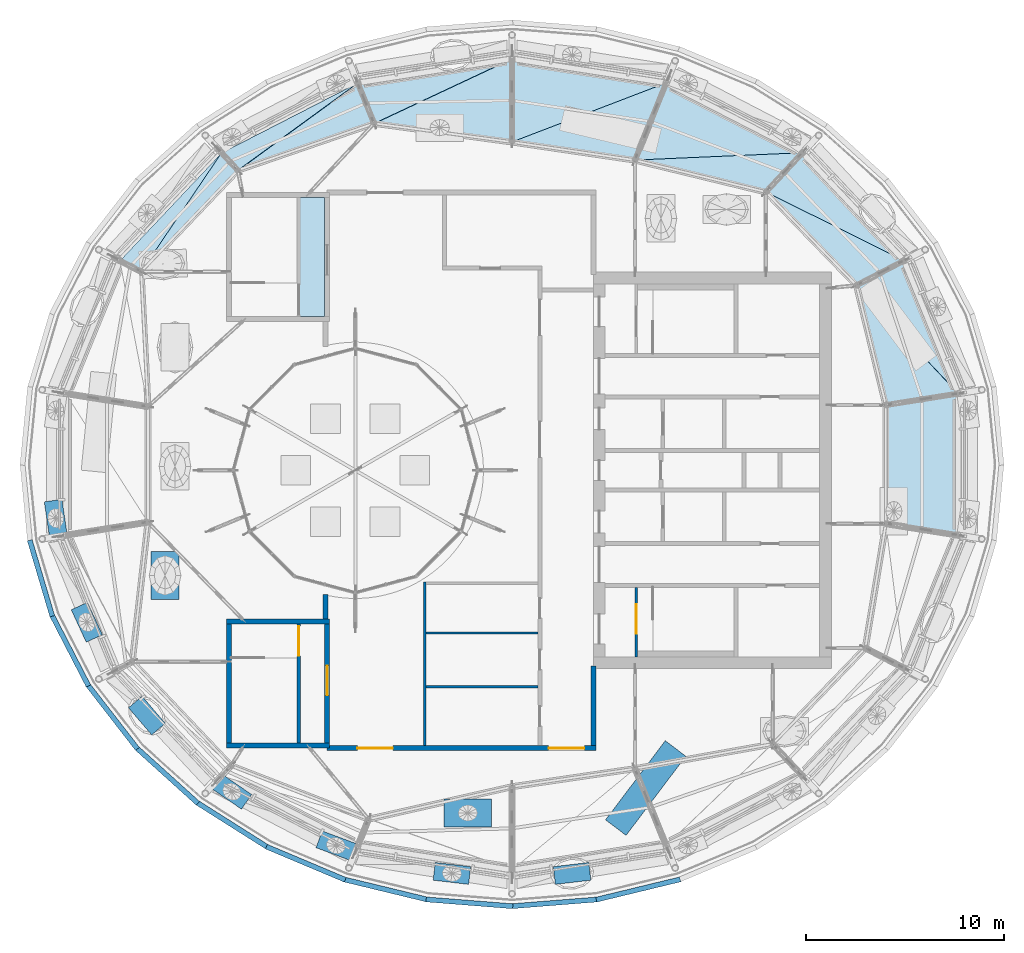
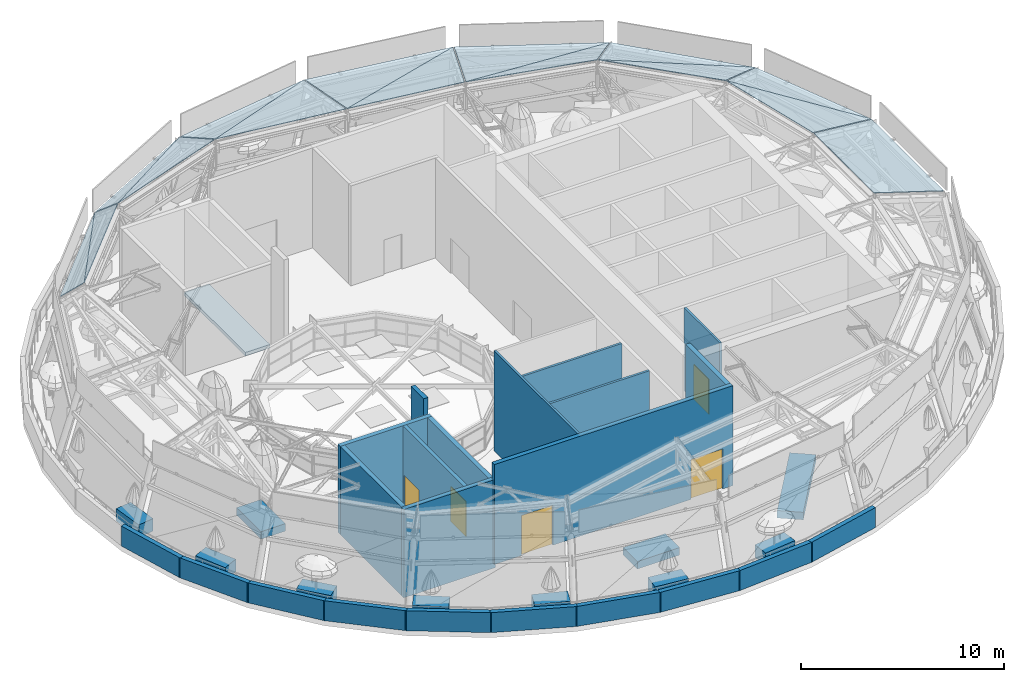
# One storey, part 16 of 40: 32 walls, 15 plates, 5 doors, 1 slab, 5 openings.
"""IFC4 building model written with IfcOpenShell, lengths in metres."""

from ifc_helpers import new_model, si_unit, direction, frame, frame_2d, origin, place, context, subcontext, project, spatial, polyline, rectangle, outline, extrude, material, layer, layer_set, constituent, constituent_set, type_object, element, fill, save


model = new_model("IFC4")

# Units and contexts
model_context = context("Model", 3, precision=1e-05, world=origin(), true_north=direction((0.0, 1.0)))
body_context = subcontext(model_context, "Body", "Model", "MODEL_VIEW")
ifc_project = project(units=[si_unit("LENGTHUNIT", "METRE"), si_unit("AREAUNIT", "SQUARE_METRE"), si_unit("VOLUMEUNIT", "CUBIC_METRE"), si_unit("PLANEANGLEUNIT", "RADIAN"), si_unit("MASSUNIT", "GRAM", prefix="KILO")], contexts=[model_context])

# Site, building, storey
site_placement = place(None, origin())
site = spatial("IfcSite", under=ifc_project, at=site_placement, CompositionType="ELEMENT")
building_placement = place(site_placement, origin())
building = spatial("IfcBuilding", under=site, at=building_placement, Name="Taillehof Tower", CompositionType="ELEMENT")
storey_placement = place(building_placement, frame((0.0, 0.0, 275.199951171875)))
storey = spatial("IfcBuildingStorey", under=building, at=storey_placement, Name="L77", CompositionType="ELEMENT", Elevation=275.199951171875)

# Plates
ifc_material_1 = material(Name="Clear laminated safety glass", Category="glass")
ifc_layer_1 = layer(ifc_material_1, 0.031982421875)
ifc_layer_set_1 = layer_set([ifc_layer_1], Name="Canopy glass panel 32")
plate_type = type_object("IfcPlateType", Name="Canopy glass panel 32", PredefinedType="SHEET", material=ifc_layer_set_1)
plate_1_placement = place(storey_placement, frame((22.374267578125, 3.895751953125, 4.708740234375), z_axis=(0.263958482915, 0.107777973391, 0.958493519931), x_axis=(-0.378122618504, 0.92575552076, 3.4031376e-05)))
element("IfcPlate", 1, at=plate_1_placement, inside=storey, type_object=plate_type, Name="Canopy glass panel 1", PredefinedType="SHEET", context=body_context, shape_type="SweptSolid", body=[
    extrude(outline(polyline([(0.0, 0.0), (7.1739862986968985, -2.739643364599309e-16), (6.925320421927194, 2.7786917608811317), (0.0, 0.0)])), origin(), (0.0, 0.0, -1.0), 0.031982421875),
])
plate_2_placement = place(storey_placement, frame((22.374267578125, 3.895751953125, 4.70849609375), z_axis=(0.205967447953, 0.050422972405, 0.977258888032), x_axis=(-0.68134848623, 0.724208823179, 0.106234743567)))
element("IfcPlate", 2, at=plate_2_placement, inside=storey, type_object=plate_type, Name="Canopy glass panel 1", PredefinedType="SHEET", context=body_context, shape_type="SweptSolid", body=[
    extrude(outline(polyline([(0.0, 0.0), (7.4620089695275125, -7.771561172376096e-16), (2.1385721770835944, 3.0816087744791423), (0.0, 0.0)])), origin(), (0.0, 0.0, -1.0), 0.031982421875),
])
plate_3_placement = place(storey_placement, frame((19.632080078125, 10.58837890625, 4.7080078125), z_axis=(0.207129243897, 0.195200482411, 0.958641876818), x_axis=(-0.685921072731, 0.727675944976, 3.2981732e-05)))
element("IfcPlate", 3, at=plate_3_placement, inside=storey, type_object=plate_type, Name="Canopy glass panel 2", PredefinedType="SHEET", context=body_context, shape_type="SweptSolid", body=[
    extrude(outline(polyline([(0.0, 0.0), (7.402298573378747, -3.870601755773251e-17), (7.228317611944831, 2.7844138543945), (0.0, 0.0)])), origin(), (0.0, 0.0, -1.0), 0.031982421875),
])
plate_4_placement = place(storey_placement, frame((19.632080078125, 10.58837890625, 4.7080078125), z_axis=(0.212001127769, 0.20576278847, 0.955362337915), x_axis=(-0.890825196522, 0.442670530893, 0.102338997067)))
element("IfcPlate", 4, at=plate_4_placement, inside=storey, type_object=plate_type, Name="Canopy glass panel 2", PredefinedType="SHEET", context=body_context, shape_type="SweptSolid", body=[
    extrude(outline(polyline([(0.0, 0.0), (7.746065840908909, -8.326672684688674e-17), (1.654835817700499, 2.248373569123771), (0.0, 0.0)])), origin(), (0.0, 0.0, -1.0), 0.031982421875),
])
plate_5_placement = place(storey_placement, frame((14.506103515625, 16.009521484375, 4.707275390625), z_axis=(0.085799891018, 0.167066174596, 0.982205310517), x_axis=(-0.88962341853, 0.456694834858, 3.1901008e-05)))
element("IfcPlate", 5, at=plate_5_placement, inside=storey, type_object=plate_type, Name="Canopy glass panel 3", PredefinedType="SHEET", context=body_context, shape_type="SweptSolid", body=[
    extrude(outline(polyline([(0.0, 0.0), (7.653069228580078, -1.1355662504070052e-16), (7.2795768184911775, 4.2235415250720925), (0.0, 0.0)])), origin(), (0.0, 0.0, -1.0), 0.031982421875),
])
plate_6_placement = place(storey_placement, frame((14.506103515625, 16.009521484375, 4.706787109375), z_axis=(0.076061471541, 0.312535770093, 0.946855873383), x_axis=(-0.994598451849, -0.043484310778, 0.094249850378)))
element("IfcPlate", 6, at=plate_6_placement, inside=storey, type_object=plate_type, Name="Canopy glass panel 3", PredefinedType="SHEET", context=body_context, shape_type="SweptSolid", body=[
    extrude(outline(polyline([(0.0, 0.0), (8.416065250444296, 2.7755575615628914e-17), (1.9814892953343695, 1.9679940712017276), (0.0, 0.0)])), origin(), (0.0, 0.0, -1.0), 0.031982421875),
])
plate_7_placement = place(storey_placement, frame((7.642822265625, 19.52099609375, 4.707763671875), z_axis=(0.030396226619, 0.186979101542, 0.981893520191), x_axis=(-0.987961284929, 0.154697229045, 0.001125525514)))
element("IfcPlate", 7, at=plate_7_placement, inside=storey, type_object=plate_type, Name="Canopy glass panel 4", PredefinedType="SHEET", context=body_context, shape_type="SweptSolid", body=[
    extrude(outline(polyline([(0.0, 0.0), (7.80885229784728, -2.688821387764051e-17), (7.161603346682867, 4.189916494843064), (0.0, 0.0)])), origin(), (0.0, 0.0, -1.0), 0.031982421875),
])
plate_8_placement = place(storey_placement, frame((7.642822265625, 19.52099609375, 4.707763671875), z_axis=(0.029253785242, 0.189820014419, 0.981382992605), x_axis=(-0.929339192122, -0.356358502906, 0.096629619647)))
element("IfcPlate", 8, at=plate_8_placement, inside=storey, type_object=plate_type, Name="Canopy glass panel 4", PredefinedType="SHEET", context=body_context, shape_type="SweptSolid", body=[
    extrude(outline(polyline([(0.0, 0.0), (8.297226206930675, -1.6653345369377348e-16), (2.908826123238706, 3.085473534063567), (0.0, 0.0)])), origin(), (0.0, 0.0, -1.0), 0.031982421875),
])
plate_9_placement = place(storey_placement, frame((-0.130126953125, 20.732177734375, 4.71826171875), z_axis=(-0.050484092792, 0.346886060578, 0.936547605491), x_axis=(-0.987944011603, -0.154758190693, 0.004065999351)))
element("IfcPlate", 9, at=plate_9_placement, inside=storey, type_object=plate_type, Name="Canopy glass panel 5", PredefinedType="SHEET", context=body_context, shape_type="SweptSolid", body=[
    extrude(outline(polyline([(0.0, 0.0), (7.8057762700137205, 0.0), (7.307725398257551, 2.26806175741908), (0.0, 0.0)])), origin(), (0.0, 0.0, -1.0), 0.031982421875),
])
plate_10_placement = place(storey_placement, frame((-0.130126953125, 20.732177734375, 4.717529296875), z_axis=(0.029882497211, 0.187041034462, 0.981897493524), x_axis=(-0.900164273523, -0.422003852319, 0.107782323691)))
element("IfcPlate", 10, at=plate_10_placement, inside=storey, type_object=plate_type, Name="Canopy glass panel 5", PredefinedType="SHEET", context=body_context, shape_type="SweptSolid", body=[
    extrude(outline(polyline([(0.0, 0.0), (7.651598175009284, -5.551115123125783e-17), (1.8437257336313861, 3.818354865677011), (0.0, 0.0)])), origin(), (0.0, 0.0, -1.0), 0.031982421875),
])
plate_11_placement = place(storey_placement, frame((-7.903076171875, 19.509765625, 4.75048828125), z_axis=(-0.260196068388, 0.506687986801, 0.821927788815), x_axis=(-0.889584604161, -0.456770435792, -3.2027095e-05)))
element("IfcPlate", 11, at=plate_11_placement, inside=storey, type_object=plate_type, Name="Canopy glass panel 6", PredefinedType="SHEET", context=body_context, shape_type="SweptSolid", body=[
    extrude(outline(polyline([(0.0, 0.0), (7.622939929803294, -3.673276960380889e-16), (7.296755229644434, 1.3874372664036738), (0.0, 0.0)])), origin(), (0.0, 0.0, -1.0), 0.031982421875),
])
plate_12_placement = place(storey_placement, frame((-7.903076171875, 19.509765625, 4.749755859375), z_axis=(-0.111238497291, 0.323475337277, 0.939675317806), x_axis=(-0.803797629334, -0.585321659737, 0.106338731041)))
element("IfcPlate", 12, at=plate_12_placement, inside=storey, type_object=plate_type, Name="Canopy glass panel 6", PredefinedType="SHEET", context=body_context, shape_type="SweptSolid", body=[
    extrude(outline(polyline([(0.0, 0.0), (7.45241607637317, -6.661338147750939e-16), (0.6106484523835349, 2.238531131561948), (0.0, 0.0)])), origin(), (0.0, 0.0, -1.0), 0.031982421875),
])
plate_13_placement = place(storey_placement, frame((-14.7607421875, 15.97802734375, 4.7490234375), z_axis=(-0.414289170964, 0.390462548337, 0.822133493521), x_axis=(-0.68587062229, -0.727723497957, 0.0)))
element("IfcPlate", 13, at=plate_13_placement, inside=storey, type_object=plate_type, Name="Canopy glass panel 7", PredefinedType="SHEET", context=body_context, shape_type="SweptSolid", body=[
    extrude(outline(polyline([(0.0, 0.0), (7.373298610406599, 0.0), (7.047131468990949, 1.3868927710804413), (0.0, 0.0)])), origin(), (0.0, 0.0, -1.0), 0.031982421875),
])
plate_14_placement = place(storey_placement, frame((-14.7607421875, 15.97802734375, 4.7490234375), z_axis=(-0.401906505704, 0.383330877287, 0.831581985851), x_axis=(-0.55743677145, -0.822910275209, 0.109922358007)))
element("IfcPlate", 14, at=plate_14_placement, inside=storey, type_object=plate_type, Name="Canopy glass panel 7", PredefinedType="SHEET", context=body_context, shape_type="SweptSolid", body=[
    extrude(outline(polyline([(0.0, 0.0), (7.207235566011071, -1.6653345369377348e-16), (0.35171934180531145, 1.3846379188882962), (0.0, 0.0)])), origin(), (0.0, 0.0, -1.0), 0.031982421875),
])
plate_15_placement = place(storey_placement, frame((22.383056640625, -3.23974609375, 4.716796875), z_axis=(0.21367118725, 0.001173988201, 0.976904931655), x_axis=(1.093207e-06, 0.99999927762, -0.001201980768)))
element("IfcPlate", 15, at=plate_15_placement, inside=storey, type_object=plate_type, Name="Canopy glass panel 18", PredefinedType="SHEET", context=body_context, shape_type="SweptSolid", body=[
    extrude(outline(polyline([(0.0, 0.0), (7.0795950004294745, -2.168404344971009e-19), (6.500025633604339, 3.705455281852304), (0.5776581204318546, 3.705440731992928), (0.0, 0.0)])), origin(), (0.0, 0.0, -1.0), 0.031982421875),
])

# Slab
ifc_material_2 = material(Name="Concrete C40/50", Category="concrete")
ifc_layer_2 = layer(ifc_material_2, 0.2099609375)
ifc_layer_set_2 = layer_set([ifc_layer_2], Name="Stair landing C40/50 210")
slab_type = type_object("IfcSlabType", Name="Stair landing C40/50 210", PredefinedType="LANDING", material=ifc_layer_set_2)
slab_placement = place(storey_placement, frame((0.0, 0.0, -0.2099609375)))
element("IfcSlab", 16, at=slab_placement, inside=storey, type_object=slab_type, Name="Stair lobby S3 floor", PredefinedType="LANDING", context=body_context, shape_type="SweptSolid", body=[
    extrude(outline(polyline([(-10.949951171875, 7.75), (-9.550048828125, 7.75), (-9.550048828125, 13.75), (-10.949951171875, 13.75), (-10.949951171875, 7.75)])), origin(), (0.0, 0.0, 1.0), 0.2099609375),
])

# Wall, openings, doors
ifc_material_3 = material(Name="Calcium silicate blockwork", Category="masonry")
ifc_layer_3 = layer(ifc_material_3, 0.25)
ifc_layer_set_3 = layer_set([ifc_layer_3], Name="Fire-resisting wall EI 120 250 mm")
wall_type_1 = type_object("IfcWallType", Name="Fire-resisting wall EI 120 250 mm", PredefinedType="PARTITIONING", material=ifc_layer_set_3)
wall_1_placement = place(storey_placement, frame((-9.425048828125, -14.0, 0.0), z_axis=(0.0, 0.0, 1.0), x_axis=(1.0, 0.0, 0.0)))
wall_1 = element("IfcWall", 17, at=wall_1_placement, inside=storey, type_object=wall_type_1, Name="Wall L77-06 / TERR", PredefinedType="PARTITIONING", context=body_context, shape_type="SweptSolid", body=[
    extrude(rectangle(XDim=13.550048828125, YDim=0.25, at=frame_2d((6.77490234375, 0.0))), origin(), (0.0, 0.0, 1.0), 6.0),
])
opening_1_placement = place(wall_1_placement, frame((1.52490234375, 0.0, 0.0)))
opening_1 = element("IfcOpeningElement", 18, at=opening_1_placement, cuts=wall_1, Name="Opening D7741", PredefinedType="OPENING", context=body_context, shape_type="SweptSolid", body=[
    extrude(rectangle(XDim=1.800048828125, YDim=2.39990234375, at=frame_2d((0.89990234375, 1.199951171875))), frame((0.0, 0.135009765625, 0.0), z_axis=(0.0, -1.0, 0.0), x_axis=(1.0, 0.0, 0.0)), (0.0, 0.0, 1.0), 0.27001953125),
])
opening_2_placement = place(wall_1_placement, frame((11.175048828125, 0.0, 0.0)))
opening_2 = element("IfcOpeningElement", 19, at=opening_2_placement, cuts=wall_1, Name="Opening D7742", PredefinedType="OPENING", context=body_context, shape_type="SweptSolid", body=[
    extrude(rectangle(XDim=1.800048828125, YDim=2.39990234375, at=frame_2d((0.89990234375, 1.199951171875))), frame((0.0, 0.135009765625, 0.0), z_axis=(0.0, -1.0, 0.0), x_axis=(1.0, 0.0, 0.0)), (0.0, 0.0, 1.0), 0.27001953125),
])
ifc_material_4 = material(Name="Glazed aluminium door set", Category="aluminium")
door_type_1 = type_object("IfcDoorType", Name="Glazed double door 1800 x 2400 FD120S", OperationType="DOUBLE_DOOR_SINGLE_SWING", PredefinedType="DOOR", material=ifc_material_4)
door_1_placement = place(opening_1_placement, origin())
door_1 = element("IfcDoor", 20, at=door_1_placement, inside=storey, type_object=door_type_1, Name="Door D7741", OperationType="DOUBLE_DOOR_SINGLE_SWING", OverallHeight=2.39990234375, OverallWidth=1.800048828125, PredefinedType="DOOR", context=body_context, shape_type="SweptSolid", body=[
    extrude(rectangle(XDim=1.800048828125, YDim=2.39990234375, at=frame_2d((0.89990234375, 1.199951171875))), frame((0.0, 0.02490234375, 0.0), z_axis=(0.0, -1.0, 0.0), x_axis=(1.0, 0.0, 0.0)), (0.0, 0.0, 1.0), 0.050048828125),
])
fill(opening_1, door_1)
door_2_placement = place(opening_2_placement, origin())
door_2 = element("IfcDoor", 21, at=door_2_placement, inside=storey, type_object=door_type_1, Name="Door D7742", OperationType="DOUBLE_DOOR_SINGLE_SWING", OverallHeight=2.39990234375, OverallWidth=1.800048828125, PredefinedType="DOOR", context=body_context, shape_type="SweptSolid", body=[
    extrude(rectangle(XDim=1.800048828125, YDim=2.39990234375, at=frame_2d((0.89990234375, 1.199951171875))), frame((0.0, 0.02490234375, 0.0), z_axis=(0.0, -1.0, 0.0), x_axis=(1.0, 0.0, 0.0)), (0.0, 0.0, 1.0), 0.050048828125),
])
fill(opening_2, door_2)

# Walls
wall_2_placement = place(storey_placement, frame((-9.5, -7.501953125, 0.0), z_axis=(0.0, 0.0, 1.0), x_axis=(0.0, 1.0, 0.0)))
element("IfcWall", 22, at=wall_2_placement, inside=storey, type_object=wall_type_1, Name="Wall L77-06 / TERR", PredefinedType="PARTITIONING", context=body_context, shape_type="SweptSolid", body=[
    extrude(rectangle(XDim=1.25244140625, YDim=0.25, at=frame_2d((0.626220703125, 0.0))), origin(), (0.0, 0.0, 1.0), 6.0),
])
wall_3_placement = place(storey_placement, frame((4.0, -13.875, 0.0), z_axis=(0.0, 0.0, 1.0), x_axis=(0.0, 1.0, 0.0)))
element("IfcWall", 23, at=wall_3_placement, inside=storey, type_object=wall_type_1, Name="Wall L77-01 / TERR", PredefinedType="PARTITIONING", context=body_context, shape_type="SweptSolid", body=[
    extrude(rectangle(XDim=4.0, YDim=0.25, at=frame_2d((2.0, 0.0))), origin(), (0.0, 0.0, 1.0), 6.0),
])
ifc_material_5 = material(Name="Concrete C30/37 precast", Category="concrete")
ifc_constituent_1 = constituent(ifc_material_5, Name="Structure", Category="concrete")
ifc_material_6 = material(Name="Insulated lining")
ifc_constituent_2 = constituent(ifc_material_6, Name="Lining")
ifc_constituent_set_1 = constituent_set(constituents=[ifc_constituent_1, ifc_constituent_2], Name="Ground-cover bed 1300x450")
wall_type_2 = type_object("IfcWallType", Name="Ground-cover bed 1300x450", PredefinedType="USERDEFINED", material=ifc_constituent_set_1)
wall_4_placement = place(storey_placement, frame((5.132568359375, -18.011962890625, 0.0), z_axis=(0.0, 0.0, 1.0), x_axis=(0.602567127341, 0.798068203256, 0.0)))
element("IfcWall", 24, at=wall_4_placement, inside=storey, type_object=wall_type_2, Name="Ground-cover bed SGC02", ObjectType="PLANTER", PredefinedType="USERDEFINED", context=body_context, shape_type="SweptSolid", body=[
    extrude(rectangle(XDim=5.000244140625, YDim=1.300048828125, at=frame_2d((2.5, 0.0))), origin(), (0.0, 0.0, 1.0), 0.449951171875),
])
ifc_material_7 = material(Name="Brick masonry", Category="masonry")
ifc_constituent_3 = constituent(ifc_material_7, Name="Wall", Category="masonry")
ifc_material_8 = material(Name="Concrete C30/37 precast", Category="concrete")
ifc_constituent_4 = constituent(ifc_material_8, Name="Coping", Category="concrete")
ifc_constituent_set_2 = constituent_set(constituents=[ifc_constituent_3, ifc_constituent_4], Name="Parapet 250")
wall_type_3 = type_object("IfcWallType", Name="Parapet 250", PredefinedType="PARAPET", material=ifc_constituent_set_2)
wall_5_placement = place(storey_placement, frame((-24.411865234375, -3.525390625, 0.0), z_axis=(0.0, 0.0, 1.0), x_axis=(0.284419225596, -0.95870000736, 0.0)))
element("IfcWall", 25, at=wall_5_placement, inside=storey, type_object=wall_type_3, Name="Roof parapet 20", PredefinedType="PARAPET", context=body_context, shape_type="SweptSolid", body=[
    extrude(rectangle(XDim=3.994140625, YDim=0.25, at=frame_2d((1.9970703125, 0.0))), origin(), (0.0, 0.0, 1.0), 1.199951171875),
])
wall_6_placement = place(storey_placement, frame((-23.30712890625, -7.27734375, 0.0), z_axis=(0.0, 0.0, 1.0), x_axis=(0.458747525534, -0.888566659186, 0.0)))
element("IfcWall", 26, at=wall_6_placement, inside=storey, type_object=wall_type_3, Name="Roof parapet 21", PredefinedType="PARAPET", context=body_context, shape_type="SweptSolid", body=[
    extrude(rectangle(XDim=4.04248046875, YDim=0.25, at=frame_2d((2.021240234375, 0.0))), origin(), (0.0, 0.0, 1.0), 1.199951171875),
])
wall_7_placement = place(storey_placement, frame((-21.4970703125, -10.7998046875, 0.0), z_axis=(0.0, 0.0, 1.0), x_axis=(0.612697000034, -0.790317901955, 0.0)))
element("IfcWall", 27, at=wall_7_placement, inside=storey, type_object=wall_type_3, Name="Roof parapet 22", PredefinedType="PARAPET", context=body_context, shape_type="SweptSolid", body=[
    extrude(rectangle(XDim=4.10693359375, YDim=0.25, at=frame_2d((2.053466796875, 0.0))), origin(), (0.0, 0.0, 1.0), 1.199951171875),
])
wall_8_placement = place(storey_placement, frame((-19.036376953125, -13.985595703125, 0.0), z_axis=(0.0, 0.0, 1.0), x_axis=(0.742122328142, -0.670264462786, 0.0)))
element("IfcWall", 28, at=wall_8_placement, inside=storey, type_object=wall_type_3, Name="Roof parapet 23", PredefinedType="PARAPET", context=body_context, shape_type="SweptSolid", body=[
    extrude(rectangle(XDim=4.178955078125, YDim=0.25, at=frame_2d((2.08935546875, 0.0))), origin(), (0.0, 0.0, 1.0), 1.199951171875),
])
wall_9_placement = place(storey_placement, frame((-15.999755859375, -16.73779296875, 0.0), z_axis=(0.0, 0.0, 1.0), x_axis=(0.845162513097, -0.534509425975, 0.0)))
element("IfcWall", 29, at=wall_9_placement, inside=storey, type_object=wall_type_3, Name="Roof parapet 24", PredefinedType="PARAPET", context=body_context, shape_type="SweptSolid", body=[
    extrude(rectangle(XDim=4.25, YDim=0.25, at=frame_2d((2.125, 0.0))), origin(), (0.0, 0.0, 1.0), 1.199951171875),
])
wall_10_placement = place(storey_placement, frame((-12.47900390625, -18.97216796875, 0.0), z_axis=(0.0, 0.0, 1.0), x_axis=(0.92159912782, -0.3881430762, 0.0)))
element("IfcWall", 30, at=wall_10_placement, inside=storey, type_object=wall_type_3, Name="Roof parapet 25", PredefinedType="PARAPET", context=body_context, shape_type="SweptSolid", body=[
    extrude(rectangle(XDim=4.31103515625, YDim=0.25, at=frame_2d((2.155517578125, 0.0))), origin(), (0.0, 0.0, 1.0), 1.199951171875),
])
wall_11_placement = place(storey_placement, frame((-8.581787109375, -20.62060546875, 0.0), z_axis=(0.0, 0.0, 1.0), x_axis=(0.971941416431, -0.235223049519, 0.0)))
element("IfcWall", 31, at=wall_11_placement, inside=storey, type_object=wall_type_3, Name="Roof parapet 26", PredefinedType="PARAPET", context=body_context, shape_type="SweptSolid", body=[
    extrude(rectangle(XDim=4.356201171875, YDim=0.25, at=frame_2d((2.17822265625, 0.0))), origin(), (0.0, 0.0, 1.0), 1.199951171875),
])
wall_12_placement = place(storey_placement, frame((-4.426513671875, -21.6328125, 0.0), z_axis=(0.0, 0.0, 1.0), x_axis=(0.99689331297, -0.078763713444, 0.0)))
element("IfcWall", 32, at=wall_12_placement, inside=storey, type_object=wall_type_3, Name="Roof parapet 27", PredefinedType="PARAPET", context=body_context, shape_type="SweptSolid", body=[
    extrude(rectangle(XDim=4.3798828125, YDim=0.25, at=frame_2d((2.18994140625, 0.0))), origin(), (0.0, 0.0, 1.0), 1.199951171875),
])
wall_13_placement = place(storey_placement, frame((-0.139892578125, -21.977783203125, 0.0), z_axis=(0.0, 0.0, 1.0), x_axis=(0.99689365875, 0.078759336864, 0.0)))
element("IfcWall", 33, at=wall_13_placement, inside=storey, type_object=wall_type_3, Name="Roof parapet 28", PredefinedType="PARAPET", context=body_context, shape_type="SweptSolid", body=[
    extrude(rectangle(XDim=4.380126953125, YDim=0.25, at=frame_2d((2.18994140625, 0.0))), origin(), (0.0, 0.0, 1.0), 1.199951171875),
])
wall_14_placement = place(storey_placement, frame((4.14794921875, -21.645263671875, 0.0), z_axis=(0.0, 0.0, 1.0), x_axis=(0.971941416431, 0.235223049519, 0.0)))
element("IfcWall", 34, at=wall_14_placement, inside=storey, type_object=wall_type_3, Name="Roof parapet 29", PredefinedType="PARAPET", context=body_context, shape_type="SweptSolid", body=[
    extrude(rectangle(XDim=4.356201171875, YDim=0.25, at=frame_2d((2.17822265625, 0.0))), origin(), (0.0, 0.0, 1.0), 1.199951171875),
])
ifc_material_9 = material(Name="Gypsum board partition on steel studs", Category="steel")
ifc_layer_4 = layer(ifc_material_9, 0.125)
ifc_layer_set_4 = layer_set([ifc_layer_4], Name="Partition wall EI 30 125 mm")
wall_type_4 = type_object("IfcWallType", Name="Partition wall EI 30 125 mm", PredefinedType="PARTITIONING", material=ifc_layer_set_4)
for number, where, z_axis, x_axis, name in (
    (35, (-4.4375, -10.89990234375, 0.0), (0.0, 0.0, 1.0), (1.0, 0.0, 0.0), "Wall L77-02 / L77-03"),
    (36, (-4.4375, -8.199951171875, 0.0), (0.0, 0.0, 1.0), (1.0, 0.0, 0.0), "Wall L77-03 / L77-04"),
):
    element("IfcWall", number, at=place(storey_placement, frame(where, z_axis=z_axis, x_axis=x_axis)), inside=storey, type_object=wall_type_4, Name=name, PredefinedType="PARTITIONING", context=body_context, shape_type="SweptSolid", body=[
        extrude(rectangle(XDim=5.637451171875, YDim=0.125, at=frame_2d((2.81884765625, 0.0))), origin(), (0.0, 0.0, 1.0), 6.0),
    ])
wall_15_placement = place(storey_placement, frame((-4.5, -13.875, 0.0), z_axis=(0.0, 0.0, 1.0), x_axis=(0.0, 1.0, 0.0)))
element("IfcWall", 37, at=wall_15_placement, inside=storey, type_object=wall_type_4, Name="Wall L77-02 / L77-06", PredefinedType="PARTITIONING", context=body_context, shape_type="SweptSolid", body=[
    extrude(rectangle(XDim=8.237548828125, YDim=0.125, at=frame_2d((4.11865234375, 0.0))), origin(), (0.0, 0.0, 1.0), 6.0),
])
ifc_material_10 = material(Name="Concrete C30/37 precast", Category="concrete")
ifc_constituent_5 = constituent(ifc_material_10, Name="Structure", Category="concrete")
ifc_material_11 = material(Name="Insulated lining")
ifc_constituent_6 = constituent(ifc_material_11, Name="Lining")
ifc_constituent_set_3 = constituent_set(constituents=[ifc_constituent_5, ifc_constituent_6], Name="Raised tree bed 1400x450")
wall_type_5 = type_object("IfcWallType", Name="Raised tree bed 1400x450", PredefinedType="USERDEFINED", material=ifc_constituent_set_3)
wall_16_placement = place(storey_placement, frame((-17.590087890625, -6.5, 0.0), z_axis=(0.0, 0.0, 1.0), x_axis=(0.0, 1.0, 0.0)))
element("IfcWall", 38, at=wall_16_placement, inside=storey, type_object=wall_type_5, Name="Raised tree bed SGB02", ObjectType="PLANTER", PredefinedType="USERDEFINED", context=body_context, shape_type="SweptSolid", body=[
    extrude(rectangle(XDim=2.39990234375, YDim=1.39990234375, at=frame_2d((1.199951171875, 0.0))), origin(), (0.0, 0.0, 1.0), 0.449951171875),
])
wall_17_placement = place(storey_placement, frame((-3.5283203125, -17.27490234375, 0.0), z_axis=(0.0, 0.0, 1.0), x_axis=(1.0, 0.0, 0.0)))
element("IfcWall", 39, at=wall_17_placement, inside=storey, type_object=wall_type_5, Name="Raised tree bed SGB06", ObjectType="PLANTER", PredefinedType="USERDEFINED", context=body_context, shape_type="SweptSolid", body=[
    extrude(rectangle(XDim=2.400146484375, YDim=1.39990234375, at=frame_2d((1.2001953125, 0.0))), origin(), (0.0, 0.0, 1.0), 0.449951171875),
])
ifc_material_12 = material(Name="Concrete C30/37 precast", Category="concrete")
ifc_constituent_7 = constituent(ifc_material_12, Name="Structure", Category="concrete")
ifc_material_13 = material(Name="Insulated lining")
ifc_constituent_8 = constituent(ifc_material_13, Name="Lining")
ifc_constituent_set_4 = constituent_set(constituents=[ifc_constituent_7, ifc_constituent_8], Name="Roof planter 900x750")
wall_type_6 = type_object("IfcWallType", Name="Roof planter 900x750", PredefinedType="USERDEFINED", material=ifc_constituent_set_4)
for number, where, z_axis, x_axis, name in (
    (40, (-23.232177734375, -1.5244140625, 0.0), (0.0, 0.0, 1.0), (0.145255807596, -0.989394132972, 0.0), "Roof planter 13"),
    (41, (-21.911376953125, -6.8427734375, 0.0), (0.0, 0.0, 1.0), (0.419384998808, -0.907808472517, 0.0), "Roof planter 14"),
):
    element("IfcWall", number, at=place(storey_placement, frame(where, z_axis=z_axis, x_axis=x_axis)), inside=storey, type_object=wall_type_6, Name=name, ObjectType="PLANTER", PredefinedType="USERDEFINED", context=body_context, shape_type="SweptSolid", body=[
        extrude(rectangle(XDim=1.800048828125, YDim=0.89990234375, at=frame_2d((0.89990234375, 0.0))), origin(), (0.0, 0.0, 1.0), 0.75),
    ])
wall_18_placement = place(storey_placement, frame((-19.091064453125, -11.678466796875, 0.0), z_axis=(0.0, 0.0, 1.0), x_axis=(0.650255036817, -0.759715991075, 0.0)))
element("IfcWall", 42, at=wall_18_placement, inside=storey, type_object=wall_type_6, Name="Roof planter 15", ObjectType="PLANTER", PredefinedType="USERDEFINED", context=body_context, shape_type="SweptSolid", body=[
    extrude(rectangle(XDim=1.7998046875, YDim=0.89990234375, at=frame_2d((0.89990234375, 0.0))), origin(), (0.0, 0.0, 1.0), 0.75),
])
wall_19_placement = place(storey_placement, frame((-14.96484375, -15.691650390625, 0.0), z_axis=(0.0, 0.0, 1.0), x_axis=(0.823887568155, -0.566753275279, 0.0)))
element("IfcWall", 43, at=wall_19_placement, inside=storey, type_object=wall_type_6, Name="Roof planter 16", ObjectType="PLANTER", PredefinedType="USERDEFINED", context=body_context, shape_type="SweptSolid", body=[
    extrude(rectangle(XDim=1.80029296875, YDim=0.89990234375, at=frame_2d((0.900146484375, 0.0))), origin(), (0.0, 0.0, 1.0), 0.75),
])
for number, where, z_axis, x_axis, name in (
    (44, (-9.822021484375, -18.603271484375, 0.0), (0.0, 0.0, 1.0), (0.937439184, -0.348149071952, 0.0), "Roof planter 17"),
    (45, (-4.02197265625, -20.216552734375, 0.0), (0.0, 0.0, 1.0), (0.993109807566, -0.117187499828, 0.0), "Roof planter 18"),
    (46, (2.034423828125, -20.427490234375, 0.0), (0.0, 0.0, 1.0), (0.993109807566, 0.117187499828, 0.0), "Roof planter 19"),
):
    element("IfcWall", number, at=place(storey_placement, frame(where, z_axis=z_axis, x_axis=x_axis)), inside=storey, type_object=wall_type_6, Name=name, ObjectType="PLANTER", PredefinedType="USERDEFINED", context=body_context, shape_type="SweptSolid", body=[
        extrude(rectangle(XDim=1.800048828125, YDim=0.89990234375, at=frame_2d((0.89990234375, 0.0))), origin(), (0.0, 0.0, 1.0), 0.75),
    ])

# Wall, opening, door
ifc_material_14 = material(Name="Concrete C50/60", Category="concrete")
ifc_layer_5 = layer(ifc_material_14, 0.199951171875)
ifc_layer_set_5 = layer_set([ifc_layer_5], Name="Shaft wall C50/60 200")
wall_type_7 = type_object("IfcWallType", Name="Shaft wall C50/60 200", PredefinedType="SHEAR", material=ifc_layer_set_5)
wall_20_placement = place(storey_placement, frame((-10.85009765625, -13.75, 0.0), z_axis=(0.0, 0.0, 1.0), x_axis=(0.0, 1.0, 0.0)))
wall_20 = element("IfcWall", 47, at=wall_20_placement, inside=storey, type_object=wall_type_7, Name="Shaft wall SW", PredefinedType="SHEAR", context=body_context, shape_type="SweptSolid", body=[
    extrude(rectangle(XDim=6.0, YDim=0.199951171875, at=frame_2d((3.0, 0.0))), origin(), (0.0, 0.0, 1.0), 5.0),
])
opening_3_placement = place(wall_20_placement, frame((4.39990234375, 0.0, 0.0)))
opening_3 = element("IfcOpeningElement", 48, at=opening_3_placement, cuts=wall_20, Name="Opening D7711", PredefinedType="OPENING", context=body_context, shape_type="SweptSolid", body=[
    extrude(rectangle(XDim=1.5, YDim=2.10009765625, at=frame_2d((0.75, 1.050048828125))), frame((0.0, 0.10986328125, 0.0), z_axis=(0.0, -1.0, 0.0), x_axis=(1.0, 0.0, 0.0)), (0.0, 0.0, 1.0), 0.219970703125),
])
ifc_material_15 = material(Name="Steel-faced fire door", Category="steel")
door_type_2 = type_object("IfcDoorType", Name="Stair door 1500x2100", OperationType="DOUBLE_DOOR_SINGLE_SWING", PredefinedType="DOOR", material=ifc_material_15)
door_3_placement = place(opening_3_placement, origin())
door_3 = element("IfcDoor", 49, at=door_3_placement, inside=storey, type_object=door_type_2, Name="Stair lobby door S4", OperationType="DOUBLE_DOOR_SINGLE_SWING", OverallHeight=2.10009765625, OverallWidth=1.5, PredefinedType="DOOR", context=body_context, shape_type="SweptSolid", body=[
    extrude(rectangle(XDim=1.5, YDim=2.10009765625, at=frame_2d((0.75, 1.050048828125))), frame((0.0, 0.02490234375, 0.0), z_axis=(0.0, -1.0, 0.0), x_axis=(1.0, 0.0, 0.0)), (0.0, 0.0, 1.0), 0.050048828125),
])
fill(opening_3, door_3)

ifc_material_16 = material(Name="Concrete C50/60", Category="concrete")
ifc_layer_6 = layer(ifc_material_16, 0.1201171875)
ifc_layer_set_6 = layer_set([ifc_layer_6], Name="Stair lobby wall C50/60 120")
wall_type_8 = type_object("IfcWallType", Name="Stair lobby wall C50/60 120", PredefinedType="SHEAR", material=ifc_layer_set_6)
wall_21_placement = place(storey_placement, frame((6.159912109375, -9.39990234375, 0.0), z_axis=(0.0, 0.0, 1.0), x_axis=(0.0, 1.0, 0.0)))
wall_21 = element("IfcWall", 50, at=wall_21_placement, inside=storey, type_object=wall_type_8, Name="Compartment wall SW", PredefinedType="SHEAR", context=body_context, shape_type="SweptSolid", body=[
    extrude(rectangle(XDim=3.5, YDim=0.1201171875, at=frame_2d((1.75, 0.0))), origin(), (0.0, 0.0, 1.0), 5.0),
])
opening_4_placement = place(wall_21_placement, frame((1.14990234375, 0.0, 0.0)))
opening_4 = element("IfcOpeningElement", 51, at=opening_4_placement, cuts=wall_21, Name="Opening D7709", PredefinedType="OPENING", context=body_context, shape_type="SweptSolid", body=[
    extrude(rectangle(XDim=1.5, YDim=2.10009765625, at=frame_2d((0.75, 1.050048828125))), frame((0.0, 0.070068359375, 0.0), z_axis=(0.0, -1.0, 0.0), x_axis=(1.0, 0.0, 0.0)), (0.0, 0.0, 1.0), 0.14013671875),
])
door_4_placement = place(opening_4_placement, origin())
door_4 = element("IfcDoor", 52, at=door_4_placement, inside=storey, type_object=door_type_2, Name="Stair lobby door S2", OperationType="DOUBLE_DOOR_SINGLE_SWING", OverallHeight=2.10009765625, OverallWidth=1.5, PredefinedType="DOOR", context=body_context, shape_type="SweptSolid", body=[
    extrude(rectangle(XDim=1.5, YDim=2.10009765625, at=frame_2d((0.75, 1.050048828125))), frame((0.0, 0.02490234375, 0.0), z_axis=(0.0, -1.0, 0.0), x_axis=(1.0, 0.0, 0.0)), (0.0, 0.0, 1.0), 0.050048828125),
])
fill(opening_4, door_4)

# Wall
ifc_material_17 = material(Name="Concrete C50/60", Category="concrete")
ifc_layer_7 = layer(ifc_material_17, 0.25)
ifc_layer_set_7 = layer_set([ifc_layer_7], Name="Stair wall C50/60 250")
wall_type_9 = type_object("IfcWallType", Name="Stair wall C50/60 250", PredefinedType="SHEAR", material=ifc_layer_set_7)
wall_22_placement = place(storey_placement, frame((-14.375, -13.75, -0.300048828125), z_axis=(0.0, 0.0, 1.0), x_axis=(0.0, 1.0, 0.0)))
element("IfcWall", 53, at=wall_22_placement, inside=storey, type_object=wall_type_9, Name="Stair wall SC", PredefinedType="SHEAR", context=body_context, shape_type="SweptSolid", body=[
    extrude(rectangle(XDim=6.0, YDim=0.25, at=frame_2d((3.0, 0.0))), origin(), (0.0, 0.0, 1.0), 5.300048828125),
])

# Wall, opening, door
wall_23_placement = place(storey_placement, frame((-9.425048828125, -13.75, -0.300048828125), z_axis=(0.0, 0.0, 1.0), x_axis=(0.0, 1.0, 0.0)))
wall_23 = element("IfcWall", 54, at=wall_23_placement, inside=storey, type_object=wall_type_9, Name="Stair wall SC", PredefinedType="SHEAR", context=body_context, shape_type="SweptSolid", body=[
    extrude(rectangle(XDim=6.0, YDim=0.25, at=frame_2d((3.0, 0.0))), origin(), (0.0, 0.0, 1.0), 5.300048828125),
])
opening_5_placement = place(wall_23_placement, frame((2.39990234375, 0.0, 0.300048828125)))
opening_5 = element("IfcOpeningElement", 55, at=opening_5_placement, cuts=wall_23, Name="Opening D7718", PredefinedType="OPENING", context=body_context, shape_type="SweptSolid", body=[
    extrude(rectangle(XDim=1.5, YDim=2.10009765625, at=frame_2d((0.75, 1.050048828125))), frame((0.0, 0.135009765625, 0.0), z_axis=(0.0, -1.0, 0.0), x_axis=(1.0, 0.0, 0.0)), (0.0, 0.0, 1.0), 0.27001953125),
])
door_5_placement = place(opening_5_placement, origin())
door_5 = element("IfcDoor", 56, at=door_5_placement, inside=storey, type_object=door_type_2, Name="Stair door S4", OperationType="DOUBLE_DOOR_SINGLE_SWING", OverallHeight=2.10009765625, OverallWidth=1.5, PredefinedType="DOOR", context=body_context, shape_type="SweptSolid", body=[
    extrude(rectangle(XDim=1.5, YDim=2.10009765625, at=frame_2d((0.75, 1.050048828125))), frame((0.0, 0.02490234375, 0.0), z_axis=(0.0, -1.0, 0.0), x_axis=(1.0, 0.0, 0.0)), (0.0, 0.0, 1.0), 0.050048828125),
])
fill(opening_5, door_5)

# Walls
for number, where, z_axis, x_axis, name in (
    (57, (-14.5, -7.625, -0.300048828125), (0.0, 0.0, 1.0), (1.0, 0.0, 0.0), "Stair wall SC"),
    (58, (-14.5, -13.875, -0.300048828125), (0.0, 0.0, 1.0), (1.0, 0.0, 0.0), "Stair wall SC"),
):
    element("IfcWall", number, at=place(storey_placement, frame(where, z_axis=z_axis, x_axis=x_axis)), inside=storey, type_object=wall_type_9, Name=name, PredefinedType="SHEAR", context=body_context, shape_type="SweptSolid", body=[
        extrude(rectangle(XDim=5.199951171875, YDim=0.25, at=frame_2d((2.60009765625, 0.0))), origin(), (0.0, 0.0, 1.0), 5.300048828125),
    ])

save(model, "model.ifc")
